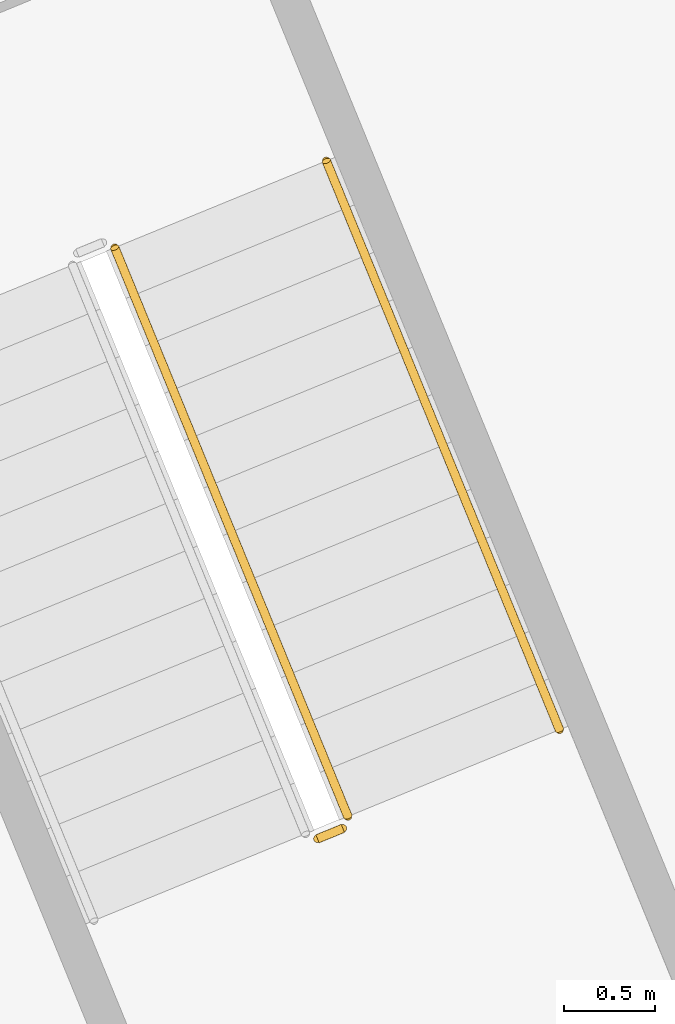
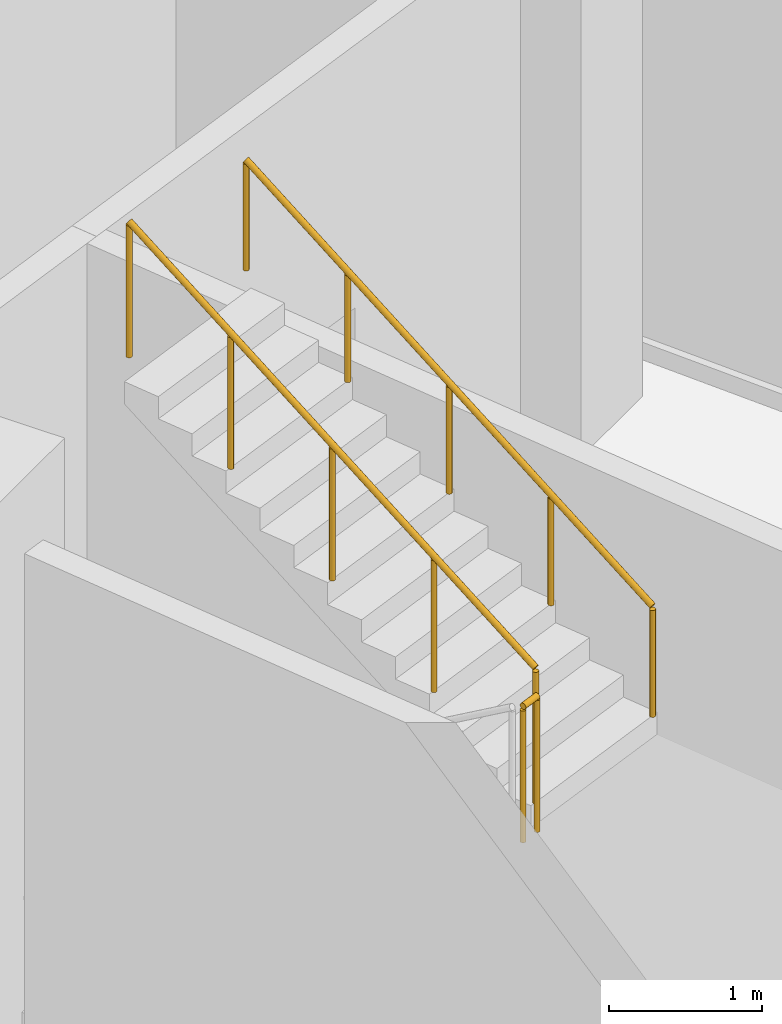
# One storey, part 39 of 40: 3 railings.
"""IFC4 building model written with IfcOpenShell, lengths in metres."""

from ifc_helpers import new_model, si_unit, direction, frame, origin, origin_2d, place, context, subcontext, project, spatial, circle, extrude, material, type_object, element, save


model = new_model("IFC4")

# Units and contexts
model_context = context("Model", 3, precision=1e-05, world=origin(), true_north=direction((0.0, 1.0)))
body_context = subcontext(model_context, "Body", "Model", "MODEL_VIEW")
ifc_project = project(units=[si_unit("LENGTHUNIT", "METRE"), si_unit("AREAUNIT", "SQUARE_METRE"), si_unit("VOLUMEUNIT", "CUBIC_METRE"), si_unit("PLANEANGLEUNIT", "RADIAN"), si_unit("MASSUNIT", "GRAM", prefix="KILO")], contexts=[model_context])

# Site, building, storey
site_placement = place(None, origin())
site = spatial("IfcSite", under=ifc_project, at=site_placement, CompositionType="ELEMENT")
building_placement = place(site_placement, origin())
building = spatial("IfcBuilding", under=site, at=building_placement, Name="Stone Belt Terrace Tower", CompositionType="ELEMENT")
storey_placement = place(building_placement, frame((0.0, 0.0, 7.0)))
storey = spatial("IfcBuildingStorey", under=building, at=storey_placement, Name="L01", CompositionType="ELEMENT", Elevation=7.0)

# Railings
ifc_material_1 = material(Name="Steel balustrade", Category="steel")
railing_type_1 = type_object("IfcRailingType", Name="Podium stair guard", PredefinedType="GUARDRAIL", material=ifc_material_1)
railing_1_placement = place(storey_placement, frame((59.5439453125, 29.873291015625, 2.300048828125)))
element("IfcRailing", 1, at=railing_1_placement, inside=storey, type_object=railing_type_1, Name="L01 PS4 stair guard 2", PredefinedType="GUARDRAIL", context=body_context, shape_type="SweptSolid", body=[
    extrude(circle(Radius=0.02392578125, at=origin_2d()), frame((0.0, 0.0, 1.076171875), z_axis=(0.925183283695, 0.379520607572, 0.0), x_axis=(-0.379520607572, 0.925183283695, 0.0)), (0.0, 0.0, 1.0), 0.14990234375),
    extrude(circle(Radius=0.02099609375, at=origin_2d()), origin(), (0.0, 0.0, 1.0), 1.052001953125),
    extrude(circle(Radius=0.02099609375, at=origin_2d()), frame((0.138671875, 0.056884765625, 0.0)), (0.0, 0.0, 1.0), 1.052001953125),
])
railing_2_placement = place(storey_placement, frame((59.7099609375, 29.995361328125, 2.476806640625)))
element("IfcRailing", 2, at=railing_2_placement, inside=storey, type_object=railing_type_1, Name="L01 PS4 stair guard 3", PredefinedType="GUARDRAIL", context=body_context, shape_type="SweptSolid", body=[
    extrude(circle(Radius=0.02392578125, at=origin_2d()), frame((0.0, 0.0, 1.076171875), z_axis=(-0.320582157685, 0.7821983514, 0.534221694843), x_axis=(-0.925301376681, -0.379232596584, 0.0)), (0.0, 0.0, 1.0), 3.974609375),
    extrude(circle(Radius=0.02099609375, at=origin_2d()), origin(), (0.0, 0.0, 1.0), 1.052001953125),
    extrude(circle(Radius=0.02099609375, at=origin_2d()), frame((-0.318603515625, 0.77734375, 0.53076171875)), (0.0, 0.0, 1.0), 1.052001953125),
    extrude(circle(Radius=0.02099609375, at=origin_2d()), frame((-0.63720703125, 1.554443359375, 1.0615234375)), (0.0, 0.0, 1.0), 1.052001953125),
    extrude(circle(Radius=0.02099609375, at=origin_2d()), frame((-0.95556640625, 2.33154296875, 1.592529296875)), (0.0, 0.0, 1.0), 1.052001953125),
    extrude(circle(Radius=0.02099609375, at=origin_2d()), frame((-1.274169921875, 3.10888671875, 2.123291015625)), (0.0, 0.0, 1.0), 1.052001953125),
])
ifc_material_2 = material(Name="Stainless steel handrail", Category="steel")
railing_type_2 = type_object("IfcRailingType", Name="Podium stair handrail", PredefinedType="HANDRAIL", material=ifc_material_2)
railing_3_placement = place(storey_placement, frame((60.86669921875, 30.469482421875, 2.476806640625)))
element("IfcRailing", 3, at=railing_3_placement, inside=storey, type_object=railing_type_2, Name="L01 PS4 stair handrail 2", PredefinedType="HANDRAIL", context=body_context, shape_type="SweptSolid", body=[
    extrude(circle(Radius=0.02392578125, at=origin_2d()), frame((0.0, 0.0, 0.8759765625), z_axis=(-0.320637269104, 0.782182947274, 0.534211174214), x_axis=(-0.925275877227, -0.379294807533, 0.0)), (0.0, 0.0, 1.0), 3.974609375),
    extrude(circle(Radius=0.02099609375, at=origin_2d()), origin(), (0.0, 0.0, 1.0), 0.851806640625),
    extrude(circle(Radius=0.02099609375, at=origin_2d()), frame((-0.318603515625, 0.77734375, 0.53076171875)), (0.0, 0.0, 1.0), 0.851806640625),
    extrude(circle(Radius=0.02099609375, at=origin_2d()), frame((-0.63720703125, 1.554443359375, 1.0615234375)), (0.0, 0.0, 1.0), 0.851806640625),
    extrude(circle(Radius=0.02099609375, at=origin_2d()), frame((-0.955810546875, 2.33154296875, 1.592529296875)), (0.0, 0.0, 1.0), 0.851806640625),
    extrude(circle(Radius=0.02099609375, at=origin_2d()), frame((-1.2744140625, 3.10888671875, 2.123291015625)), (0.0, 0.0, 1.0), 0.851806640625),
])

save(model, "model.ifc")
